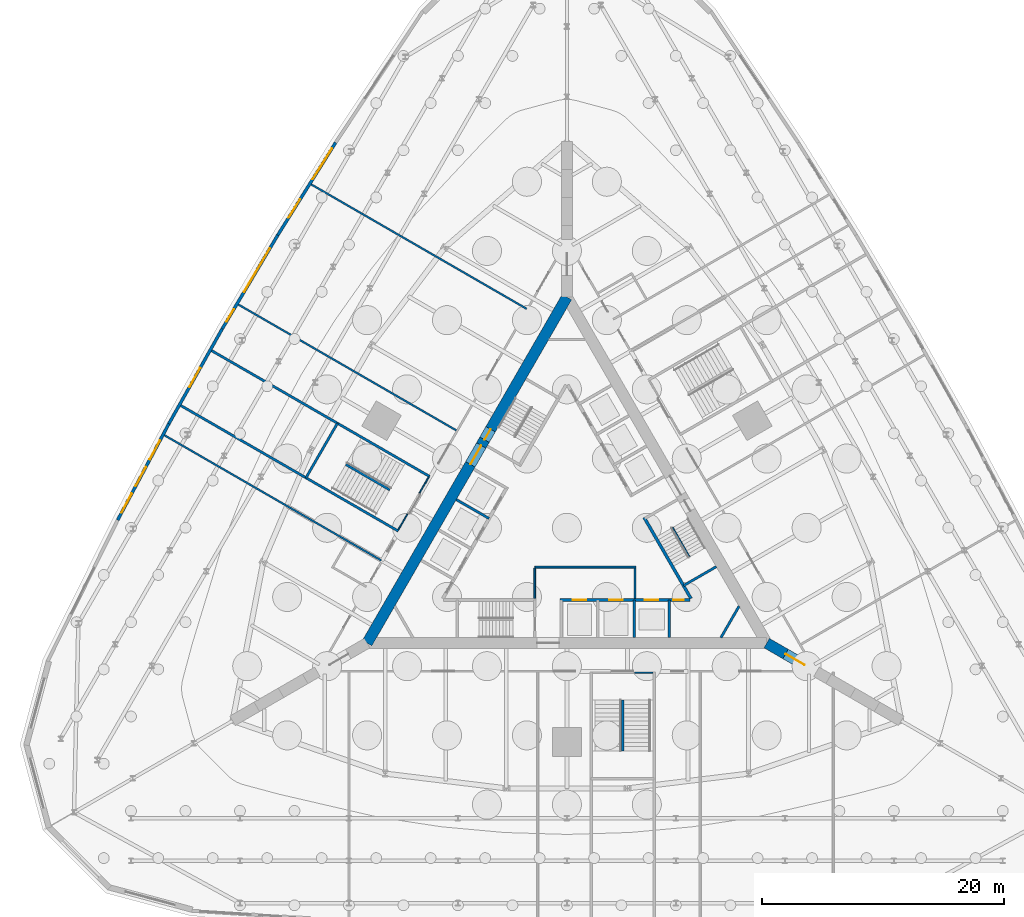
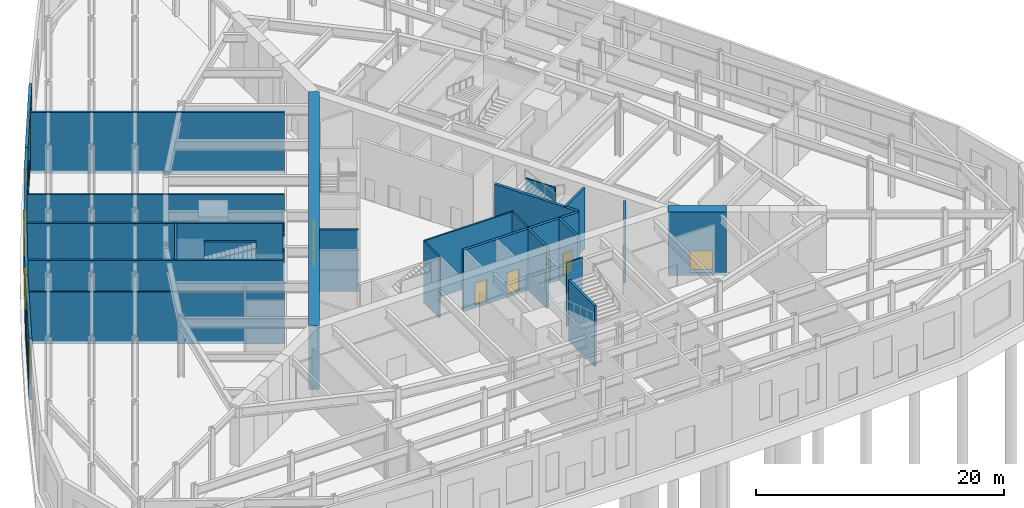
# One storey, part 11 of 17: 28 walls, 10 doors, 5 windows, 15 openings.
"""IFC4 building model written with IfcOpenShell, lengths in metres."""

from ifc_helpers import new_model, si_unit, direction, frame, frame_2d, origin, place, context, subcontext, project, spatial, rectangle, extrude, material, layer, layer_set, type_object, element, fill, save


model = new_model("IFC4")

# Units and contexts
model_context = context("Model", 3, precision=1e-05, world=origin(), true_north=direction((0.0, 1.0)))
body_context = subcontext(model_context, "Body", "Model", "MODEL_VIEW")
ifc_project = project(units=[si_unit("LENGTHUNIT", "METRE"), si_unit("AREAUNIT", "SQUARE_METRE"), si_unit("VOLUMEUNIT", "CUBIC_METRE"), si_unit("PLANEANGLEUNIT", "RADIAN"), si_unit("MASSUNIT", "GRAM", prefix="KILO")], contexts=[model_context])

# Site, building, storey
site_placement = place(None, origin())
site = spatial("IfcSite", under=ifc_project, at=site_placement, CompositionType="ELEMENT")
building_placement = place(site_placement, origin())
building = spatial("IfcBuilding", under=site, at=building_placement, Name="Trikona Tower", CompositionType="ELEMENT")
storey_placement = place(building_placement, origin())
storey = spatial("IfcBuildingStorey", under=building, at=storey_placement, Name="L00", CompositionType="ELEMENT", Elevation=0.0)

# Wall, opening, door
ifc_material_1 = material(Name="Concrete f'c 10000 psi", Category="concrete")
ifc_layer_1 = layer(ifc_material_1, 0.89990234375)
ifc_layer_set_1 = layer_set([ifc_layer_1], Name="Buttress wall 900")
wall_type_1 = type_object("IfcWallType", Name="Buttress wall 900", PredefinedType="SHEAR", material=ifc_layer_set_1)
wall_1_placement = place(storey_placement, frame((16.5, -9.5263671875, -0.300048828125), z_axis=(0.0, 0.0, 1.0), x_axis=(0.866031398331, -0.499989616998, 0.0)))
wall_1 = element("IfcWall", 1, at=wall_1_placement, inside=storey, type_object=wall_type_1, Name="Buttress wall 1", PredefinedType="SHEAR", context=body_context, shape_type="SweptSolid", body=[
    extrude(rectangle(XDim=4.74609375, YDim=0.89990234375, at=frame_2d((2.373046875, 0.0))), origin(), (0.0, 0.0, 1.0), 6.300048828125),
])
opening_1_placement = place(wall_1_placement, frame((1.800048828125, 0.0, 0.300048828125)))
opening_1 = element("IfcOpeningElement", 2, at=opening_1_placement, cuts=wall_1, Name="Opening D10", PredefinedType="OPENING", context=body_context, shape_type="SweptSolid", body=[
    extrude(rectangle(XDim=1.800048828125, YDim=2.1298828125, at=frame_2d((0.89990234375, 1.06494140625))), frame((0.0, 0.4599609375, 0.0), z_axis=(0.0, -1.0, 0.0), x_axis=(1.0, 0.0, 0.0)), (0.0, 0.0, 1.0), 0.919921875),
])
ifc_material_2 = material(Name="Hollow metal door and frame", Category="steel")
door_type_1 = type_object("IfcDoorType", Name="Cross-corridor door pair 1800x2130", OperationType="DOUBLE_DOOR_DOUBLE_SWING", PredefinedType="DOOR", material=ifc_material_2)
door_1_placement = place(opening_1_placement, origin())
door_1 = element("IfcDoor", 3, at=door_1_placement, inside=storey, type_object=door_type_1, Name="Cross-corridor door 1", OperationType="DOUBLE_DOOR_DOUBLE_SWING", OverallHeight=2.1298828125, OverallWidth=1.800048828125, PredefinedType="DOOR", context=body_context, shape_type="SweptSolid", body=[
    extrude(rectangle(XDim=1.800048828125, YDim=2.1298828125, at=frame_2d((0.89990234375, 1.06494140625))), frame((0.0, 0.02490234375, 0.0), z_axis=(0.0, -1.0, 0.0), x_axis=(1.0, 0.0, 0.0)), (0.0, 0.0, 1.0), 0.050048828125),
])
fill(opening_1, door_1)

# Wall, openings, doors
ifc_material_3 = material(Name="Concrete f'c 10000 psi", Category="concrete")
ifc_layer_2 = layer(ifc_material_3, 0.89990234375)
ifc_layer_set_2 = layer_set([ifc_layer_2], Name="Core wall 900")
wall_type_2 = type_object("IfcWallType", Name="Core wall 900", PredefinedType="SHEAR", material=ifc_layer_set_2)
wall_2_placement = place(storey_placement, frame((0.0, 19.052490234375, -0.300048828125), z_axis=(0.0, 0.0, 1.0), x_axis=(-0.499999749417, -0.866025548458, 0.0)))
wall_2 = element("IfcWall", 4, at=wall_2_placement, inside=storey, type_object=wall_type_2, Name="Core wall C", PredefinedType="SHEAR", context=body_context, shape_type="SweptSolid", body=[
    extrude(rectangle(XDim=33.0, YDim=0.89990234375, at=frame_2d((16.5, 0.0))), origin(), (0.0, 0.0, 1.0), 6.300048828125),
])
opening_2_placement = place(wall_2_placement, frame((14.14990234375, 0.0, 0.300048828125)))
opening_2 = element("IfcOpeningElement", 5, at=opening_2_placement, cuts=wall_2, Name="Opening D6", PredefinedType="OPENING", context=body_context, shape_type="SweptSolid", body=[
    extrude(rectangle(XDim=1.800048828125, YDim=2.1298828125, at=frame_2d((0.89990234375, 1.06494140625))), frame((0.0, 0.4599609375, 0.0), z_axis=(0.0, -1.0, 0.0), x_axis=(1.0, 0.0, 0.0)), (0.0, 0.0, 1.0), 0.919921875),
])
opening_3_placement = place(wall_2_placement, frame((12.60009765625, 0.0, 0.300048828125)))
opening_3 = element("IfcOpeningElement", 6, at=opening_3_placement, cuts=wall_2, Name="Opening D5", PredefinedType="OPENING", context=body_context, shape_type="SweptSolid", body=[
    extrude(rectangle(XDim=1.0, YDim=2.1298828125, at=frame_2d((0.5, 1.06494140625))), frame((0.0, 0.4599609375, 0.0), z_axis=(0.0, -1.0, 0.0), x_axis=(1.0, 0.0, 0.0)), (0.0, 0.0, 1.0), 0.919921875),
])
ifc_material_4 = material(Name="Hollow metal door and frame", Category="steel")
door_type_2 = type_object("IfcDoorType", Name="Lobby door pair 1800x2130", OperationType="DOUBLE_DOOR_SINGLE_SWING", PredefinedType="DOOR", material=ifc_material_4)
door_2_placement = place(opening_2_placement, origin())
door_2 = element("IfcDoor", 7, at=door_2_placement, inside=storey, type_object=door_type_2, Name="Lift lobby door C", OperationType="DOUBLE_DOOR_SINGLE_SWING", OverallHeight=2.1298828125, OverallWidth=1.800048828125, PredefinedType="DOOR", context=body_context, shape_type="SweptSolid", body=[
    extrude(rectangle(XDim=1.800048828125, YDim=2.1298828125, at=frame_2d((0.89990234375, 1.06494140625))), frame((0.0, 0.02490234375, 0.0), z_axis=(0.0, -1.0, 0.0), x_axis=(1.0, 0.0, 0.0)), (0.0, 0.0, 1.0), 0.050048828125),
])
fill(opening_2, door_2)
ifc_material_5 = material(Name="Hollow metal door and frame", Category="steel")
door_type_3 = type_object("IfcDoorType", Name="Stair door 1000x2130", OperationType="SINGLE_SWING_LEFT", PredefinedType="DOOR", material=ifc_material_5)
door_3_placement = place(opening_3_placement, origin())
door_3 = element("IfcDoor", 8, at=door_3_placement, inside=storey, type_object=door_type_3, Name="Stair C door", OperationType="SINGLE_SWING_RIGHT", OverallHeight=2.1298828125, OverallWidth=1.0, PredefinedType="DOOR", context=body_context, shape_type="SweptSolid", body=[
    extrude(rectangle(XDim=1.0, YDim=2.1298828125, at=frame_2d((0.5, 1.06494140625))), frame((0.0, 0.02490234375, 0.0), z_axis=(0.0, -1.0, 0.0), x_axis=(1.0, 0.0, 0.0)), (0.0, 0.0, 1.0), 0.050048828125),
])
fill(opening_3, door_3)

ifc_material_6 = material(Name="Concrete f'c 8000 psi", Category="concrete")
ifc_layer_3 = layer(ifc_material_6, 0.25)
ifc_layer_set_3 = layer_set([ifc_layer_3], Name="Hub wall 250")
wall_type_3 = type_object("IfcWallType", Name="Hub wall 250", PredefinedType="SOLIDWALL", material=ifc_layer_set_3)
wall_3_placement = place(storey_placement, frame((-0.550048828125, -5.951416015625, -0.300048828125), z_axis=(0.0, 0.0, 1.0), x_axis=(1.0, 0.0, 0.0)))
wall_3 = element("IfcWall", 9, at=wall_3_placement, inside=storey, type_object=wall_type_3, Name="Lift lobby wall A2", PredefinedType="SOLIDWALL", context=body_context, shape_type="SweptSolid", body=[
    extrude(rectangle(XDim=10.73291015625, YDim=0.25, at=frame_2d((5.366455078125, 0.0))), origin(), (0.0, 0.0, 1.0), 6.050048828125),
])
opening_4_placement = place(wall_3_placement, frame((9.31396484375, 0.0, 0.300048828125)))
opening_4 = element("IfcOpeningElement", 10, at=opening_4_placement, cuts=wall_3, Name="Opening D14", PredefinedType="OPENING", context=body_context, shape_type="SweptSolid", body=[
    extrude(rectangle(XDim=0.89990234375, YDim=2.1298828125, at=frame_2d((0.449951171875, 1.06494140625))), frame((0.0, 0.135009765625, 0.0), z_axis=(0.0, -1.0, 0.0), x_axis=(1.0, 0.0, 0.0)), (0.0, 0.0, 1.0), 0.27001953125),
])
opening_5_placement = place(wall_3_placement, frame((1.050048828125, 0.0, 0.300048828125)))
opening_5 = element("IfcOpeningElement", 11, at=opening_5_placement, cuts=wall_3, Name="Opening LD", PredefinedType="OPENING", context=body_context, shape_type="SweptSolid", body=[
    extrude(rectangle(XDim=1.10009765625, YDim=2.1298828125, at=frame_2d((0.550048828125, 1.06494140625))), frame((0.0, 0.135009765625, 0.0), z_axis=(0.0, -1.0, 0.0), x_axis=(1.0, 0.0, 0.0)), (0.0, 0.0, 1.0), 0.27001953125),
])
opening_6_placement = place(wall_3_placement, frame((4.050048828125, 0.0, 0.300048828125)))
opening_6 = element("IfcOpeningElement", 12, at=opening_6_placement, cuts=wall_3, Name="Opening LD", PredefinedType="OPENING", context=body_context, shape_type="SweptSolid", body=[
    extrude(rectangle(XDim=1.10009765625, YDim=2.1298828125, at=frame_2d((0.550048828125, 1.06494140625))), frame((0.0, 0.135009765625, 0.0), z_axis=(0.0, -1.0, 0.0), x_axis=(1.0, 0.0, 0.0)), (0.0, 0.0, 1.0), 0.27001953125),
])
opening_7_placement = place(wall_3_placement, frame((7.0, 0.0, 0.300048828125)))
opening_7 = element("IfcOpeningElement", 13, at=opening_7_placement, cuts=wall_3, Name="Opening LD", PredefinedType="OPENING", context=body_context, shape_type="SweptSolid", body=[
    extrude(rectangle(XDim=1.10009765625, YDim=2.1298828125, at=frame_2d((0.550048828125, 1.06494140625))), frame((0.0, 0.135009765625, 0.0), z_axis=(0.0, -1.0, 0.0), x_axis=(1.0, 0.0, 0.0)), (0.0, 0.0, 1.0), 0.27001953125),
])
ifc_material_7 = material(Name="Stainless steel lift landing door", Category="steel")
door_type_4 = type_object("IfcDoorType", Name="Lift landing door 1100x2130", OperationType="DOUBLE_DOOR_SLIDING", PredefinedType="USERDEFINED", material=ifc_material_7)
door_4_placement = place(opening_5_placement, origin())
door_4 = element("IfcDoor", 14, at=door_4_placement, inside=storey, type_object=door_type_4, Name="Lift landing door FF1", ObjectType="LIFT LANDING DOOR", OperationType="DOUBLE_DOOR_SLIDING", OverallHeight=2.1298828125, OverallWidth=1.10009765625, PredefinedType="USERDEFINED", context=body_context, shape_type="SweptSolid", body=[
    extrude(rectangle(XDim=1.10009765625, YDim=2.1298828125, at=frame_2d((0.550048828125, 1.06494140625))), frame((0.0, 0.02490234375, 0.0), z_axis=(0.0, -1.0, 0.0), x_axis=(1.0, 0.0, 0.0)), (0.0, 0.0, 1.0), 0.050048828125),
])
fill(opening_5, door_4)
door_5_placement = place(opening_6_placement, origin())
door_5 = element("IfcDoor", 15, at=door_5_placement, inside=storey, type_object=door_type_4, Name="Lift landing door FF2", ObjectType="LIFT LANDING DOOR", OperationType="DOUBLE_DOOR_SLIDING", OverallHeight=2.1298828125, OverallWidth=1.10009765625, PredefinedType="USERDEFINED", context=body_context, shape_type="SweptSolid", body=[
    extrude(rectangle(XDim=1.10009765625, YDim=2.1298828125, at=frame_2d((0.550048828125, 1.06494140625))), frame((0.0, 0.02490234375, 0.0), z_axis=(0.0, -1.0, 0.0), x_axis=(1.0, 0.0, 0.0)), (0.0, 0.0, 1.0), 0.050048828125),
])
fill(opening_6, door_5)
door_6_placement = place(opening_7_placement, origin())
door_6 = element("IfcDoor", 16, at=door_6_placement, inside=storey, type_object=door_type_4, Name="Lift landing door OB1", ObjectType="LIFT LANDING DOOR", OperationType="DOUBLE_DOOR_SLIDING", OverallHeight=2.1298828125, OverallWidth=1.10009765625, PredefinedType="USERDEFINED", context=body_context, shape_type="SweptSolid", body=[
    extrude(rectangle(XDim=1.10009765625, YDim=2.1298828125, at=frame_2d((0.550048828125, 1.06494140625))), frame((0.0, 0.02490234375, 0.0), z_axis=(0.0, -1.0, 0.0), x_axis=(1.0, 0.0, 0.0)), (0.0, 0.0, 1.0), 0.050048828125),
])
fill(opening_7, door_6)
ifc_material_8 = material(Name="Hollow metal door and frame", Category="steel")
door_type_5 = type_object("IfcDoorType", Name="Service room door 900x2130", OperationType="SINGLE_SWING_LEFT", PredefinedType="DOOR", material=ifc_material_8)
door_7_placement = place(opening_4_placement, origin())
door_7 = element("IfcDoor", 17, at=door_7_placement, inside=storey, type_object=door_type_5, Name="Door Electrical room ELR", OperationType="SINGLE_SWING_RIGHT", OverallHeight=2.1298828125, OverallWidth=0.89990234375, PredefinedType="DOOR", context=body_context, shape_type="SweptSolid", body=[
    extrude(rectangle(XDim=0.89990234375, YDim=2.1298828125, at=frame_2d((0.449951171875, 1.06494140625))), frame((0.0, 0.02490234375, 0.0), z_axis=(0.0, -1.0, 0.0), x_axis=(1.0, 0.0, 0.0)), (0.0, 0.0, 1.0), 0.050048828125),
])
fill(opening_4, door_7)

# Wall
wall_4_placement = place(storey_placement, frame((10.245361328125, -5.843017578125, -0.300048828125), z_axis=(0.0, 0.0, 1.0), x_axis=(-0.499993009313, 0.866029439822, 0.0)))
element("IfcWall", 18, at=wall_4_placement, inside=storey, type_object=wall_type_3, Name="Lift lobby wall B1", PredefinedType="SOLIDWALL", context=body_context, shape_type="SweptSolid", body=[
    extrude(rectangle(XDim=7.73291015625, YDim=0.25, at=frame_2d((3.866455078125, 0.0))), origin(), (0.0, 0.0, 1.0), 6.050048828125),
])

# Wall, openings, door, window
ifc_material_9 = material(Name="Insulated precast concrete spandrel panel", Category="concrete")
ifc_layer_4 = layer(ifc_material_9, 0.25)
ifc_layer_set_4 = layer_set([ifc_layer_4], Name="Inner skin wall 250")
wall_type_4 = type_object("IfcWallType", Name="Inner skin wall 250", PredefinedType="STANDARD", material=ifc_layer_set_4)
wall_5_placement = place(storey_placement, frame((-19.105712890625, 31.810302734375, -0.300048828125), z_axis=(0.0, 0.0, 1.0), x_axis=(-0.529864906428, -0.848082060261, 0.0)))
wall_5 = element("IfcWall", 19, at=wall_5_placement, inside=storey, type_object=wall_type_4, Name="External wall L00-21", PredefinedType="STANDARD", context=body_context, shape_type="SweptSolid", body=[
    extrude(rectangle(XDim=9.005615234375, YDim=0.25, at=frame_2d((4.5029296875, 0.0))), origin(), (0.0, 0.0, 1.0), 6.050048828125),
])
opening_8_placement = place(wall_5_placement, frame((0.568359375, 0.0, 1.199951171875)))
opening_8 = element("IfcOpeningElement", 20, at=opening_8_placement, cuts=wall_5, Name="Opening W3036", PredefinedType="OPENING", context=body_context, shape_type="SweptSolid", body=[
    extrude(rectangle(XDim=3.0, YDim=3.60009765625, at=frame_2d((1.5, 1.800048828125))), frame((0.0, 0.135009765625, 0.0), z_axis=(0.0, -1.0, 0.0), x_axis=(1.0, 0.0, 0.0)), (0.0, 0.0, 1.0), 0.27001953125),
])
opening_9_placement = place(wall_5_placement, frame((5.521240234375, 0.0, 0.300048828125)))
opening_9 = element("IfcOpeningElement", 21, at=opening_9_placement, cuts=wall_5, Name="Opening D7", PredefinedType="OPENING", context=body_context, shape_type="SweptSolid", body=[
    extrude(rectangle(XDim=1.800048828125, YDim=2.699951171875, at=frame_2d((0.89990234375, 1.35009765625))), frame((0.0, 0.135009765625, 0.0), z_axis=(0.0, -1.0, 0.0), x_axis=(1.0, 0.0, 0.0)), (0.0, 0.0, 1.0), 0.27001953125),
])
ifc_material_10 = material(Name="Aluminium-framed glazed door", Category="aluminium")
door_type_6 = type_object("IfcDoorType", Name="Entrance door pair 1800x2700", OperationType="DOUBLE_DOOR_SINGLE_SWING", PredefinedType="DOOR", material=ifc_material_10)
door_8_placement = place(opening_9_placement, origin())
door_8 = element("IfcDoor", 22, at=door_8_placement, inside=storey, type_object=door_type_6, Name="Exit door Back of house", OperationType="DOUBLE_DOOR_SINGLE_SWING", OverallHeight=2.699951171875, OverallWidth=1.800048828125, PredefinedType="DOOR", context=body_context, shape_type="SweptSolid", body=[
    extrude(rectangle(XDim=1.800048828125, YDim=2.699951171875, at=frame_2d((0.89990234375, 1.35009765625))), frame((0.0, 0.02490234375, 0.0), z_axis=(0.0, -1.0, 0.0), x_axis=(1.0, 0.0, 0.0)), (0.0, 0.0, 1.0), 0.050048828125),
])
fill(opening_9, door_8)
ifc_material_11 = material(Name="Aluminium-framed double glazing", Category="aluminium")
window_type_1 = type_object("IfcWindowType", Name="Window 3000x3600", PartitioningType="SINGLE_PANEL", PredefinedType="WINDOW", material=ifc_material_11)
window_1_placement = place(opening_8_placement, origin())
window_1 = element("IfcWindow", 23, at=window_1_placement, inside=storey, type_object=window_type_1, Name="Window L00-DCK", OverallHeight=3.60009765625, OverallWidth=3.0, PartitioningType="SINGLE_PANEL", PredefinedType="WINDOW", context=body_context, shape_type="SweptSolid", body=[
    extrude(rectangle(XDim=3.0, YDim=3.60009765625, at=frame_2d((1.5, 1.800048828125))), frame((0.0, 0.030029296875, 0.0), z_axis=(0.0, -1.0, 0.0), x_axis=(1.0, 0.0, 0.0)), (0.0, 0.0, 1.0), 0.06005859375),
])
fill(opening_8, window_1)

# Wall, openings, windows
wall_6_placement = place(storey_placement, frame((-23.8759765625, 24.17529296875, -0.300048828125), z_axis=(0.0, 0.0, 1.0), x_axis=(-0.510009078305, -0.860169018302, 0.0)))
wall_6 = element("IfcWall", 24, at=wall_6_placement, inside=storey, type_object=wall_type_4, Name="External wall L00-22", PredefinedType="STANDARD", context=body_context, shape_type="SweptSolid", body=[
    extrude(rectangle(XDim=9.00048828125, YDim=0.25, at=frame_2d((4.500244140625, 0.0))), origin(), (0.0, 0.0, 1.0), 6.050048828125),
])
opening_10_placement = place(wall_6_placement, frame((1.272705078125, 0.0, 1.199951171875)))
opening_10 = element("IfcOpeningElement", 25, at=opening_10_placement, cuts=wall_6, Name="Opening W4236", PredefinedType="OPENING", context=body_context, shape_type="SweptSolid", body=[
    extrude(rectangle(XDim=4.199951171875, YDim=3.60009765625, at=frame_2d((2.10009765625, 1.800048828125))), frame((0.0, 0.135009765625, 0.0), z_axis=(0.0, -1.0, 0.0), x_axis=(1.0, 0.0, 0.0)), (0.0, 0.0, 1.0), 0.27001953125),
])
opening_11_placement = place(wall_6_placement, frame((7.122802734375, 0.0, 1.199951171875)))
opening_11 = element("IfcOpeningElement", 26, at=opening_11_placement, cuts=wall_6, Name="Opening W1236", PredefinedType="OPENING", context=body_context, shape_type="SweptSolid", body=[
    extrude(rectangle(XDim=1.199951171875, YDim=3.60009765625, at=frame_2d((0.60009765625, 1.800048828125))), frame((0.0, 0.135009765625, 0.0), z_axis=(0.0, -1.0, 0.0), x_axis=(1.0, 0.0, 0.0)), (0.0, 0.0, 1.0), 0.27001953125),
])
ifc_material_12 = material(Name="Aluminium-framed double glazing", Category="aluminium")
window_type_2 = type_object("IfcWindowType", Name="Window 1200x3600", PartitioningType="SINGLE_PANEL", PredefinedType="WINDOW", material=ifc_material_12)
window_2_placement = place(opening_11_placement, origin())
window_2 = element("IfcWindow", 27, at=window_2_placement, inside=storey, type_object=window_type_2, Name="Window L00-EXC", OverallHeight=3.60009765625, OverallWidth=1.199951171875, PartitioningType="SINGLE_PANEL", PredefinedType="WINDOW", context=body_context, shape_type="SweptSolid", body=[
    extrude(rectangle(XDim=1.199951171875, YDim=3.60009765625, at=frame_2d((0.60009765625, 1.800048828125))), frame((0.0, 0.030029296875, 0.0), z_axis=(0.0, -1.0, 0.0), x_axis=(1.0, 0.0, 0.0)), (0.0, 0.0, 1.0), 0.06005859375),
])
fill(opening_11, window_2)
ifc_material_13 = material(Name="Aluminium-framed double glazing", Category="aluminium")
window_type_3 = type_object("IfcWindowType", Name="Window 4200x3600", PartitioningType="SINGLE_PANEL", PredefinedType="WINDOW", material=ifc_material_13)
window_3_placement = place(opening_10_placement, origin())
window_3 = element("IfcWindow", 28, at=window_3_placement, inside=storey, type_object=window_type_3, Name="Window L00-BOH", OverallHeight=3.60009765625, OverallWidth=4.199951171875, PartitioningType="SINGLE_PANEL", PredefinedType="WINDOW", context=body_context, shape_type="SweptSolid", body=[
    extrude(rectangle(XDim=4.199951171875, YDim=3.60009765625, at=frame_2d((2.10009765625, 1.800048828125))), frame((0.0, 0.030029296875, 0.0), z_axis=(0.0, -1.0, 0.0), x_axis=(1.0, 0.0, 0.0)), (0.0, 0.0, 1.0), 0.06005859375),
])
fill(opening_10, window_3)

# Wall, opening, door
wall_7_placement = place(storey_placement, frame((-32.87451171875, 8.58935546875, -0.300048828125), z_axis=(0.0, 0.0, 1.0), x_axis=(0.489927657557, 0.871763093025, 0.0)))
wall_7 = element("IfcWall", 29, at=wall_7_placement, inside=storey, type_object=wall_type_4, Name="External wall L00-23", PredefinedType="STANDARD", context=body_context, shape_type="SweptSolid", body=[
    extrude(rectangle(XDim=9.000732421875, YDim=0.25, at=frame_2d((4.50048828125, 0.0))), origin(), (0.0, 0.0, 1.0), 6.050048828125),
])
opening_12_placement = place(wall_7_placement, frame((3.4951171875, 0.0, 0.300048828125)))
opening_12 = element("IfcOpeningElement", 30, at=opening_12_placement, cuts=wall_7, Name="Opening D7", PredefinedType="OPENING", context=body_context, shape_type="SweptSolid", body=[
    extrude(rectangle(XDim=1.800048828125, YDim=2.699951171875, at=frame_2d((0.89990234375, 1.35009765625))), frame((0.0, 0.135009765625, 0.0), z_axis=(0.0, -1.0, 0.0), x_axis=(1.0, 0.0, 0.0)), (0.0, 0.0, 1.0), 0.27001953125),
])
door_9_placement = place(opening_12_placement, origin())
door_9 = element("IfcDoor", 31, at=door_9_placement, inside=storey, type_object=door_type_6, Name="Exit door Podium stair PS3", OperationType="DOUBLE_DOOR_SINGLE_SWING", OverallHeight=2.699951171875, OverallWidth=1.800048828125, PredefinedType="DOOR", context=body_context, shape_type="SweptSolid", body=[
    extrude(rectangle(XDim=1.800048828125, YDim=2.699951171875, at=frame_2d((0.89990234375, 1.35009765625))), frame((0.0, 0.02490234375, 0.0), z_axis=(0.0, -1.0, 0.0), x_axis=(1.0, 0.0, 0.0)), (0.0, 0.0, 1.0), 0.050048828125),
])
fill(opening_12, door_9)

# Wall, openings, door, windows
wall_8_placement = place(storey_placement, frame((-32.873046875, 8.591796875, -0.300048828125), z_axis=(0.0, 0.0, 1.0), x_axis=(-0.469531141255, -0.882915911846, 0.0)))
wall_8 = element("IfcWall", 32, at=wall_8_placement, inside=storey, type_object=wall_type_4, Name="External wall L00-24", PredefinedType="STANDARD", context=body_context, shape_type="SweptSolid", body=[
    extrude(rectangle(XDim=9.00537109375, YDim=0.25, at=frame_2d((4.502685546875, 0.0))), origin(), (0.0, 0.0, 1.0), 6.050048828125),
])
opening_13_placement = place(wall_8_placement, frame((4.035888671875, 0.0, 0.300048828125)))
opening_13 = element("IfcOpeningElement", 33, at=opening_13_placement, cuts=wall_8, Name="Opening D7", PredefinedType="OPENING", context=body_context, shape_type="SweptSolid", body=[
    extrude(rectangle(XDim=1.800048828125, YDim=2.699951171875, at=frame_2d((0.89990234375, 1.35009765625))), frame((0.0, 0.135009765625, 0.0), z_axis=(0.0, -1.0, 0.0), x_axis=(1.0, 0.0, 0.0)), (0.0, 0.0, 1.0), 0.27001953125),
])
opening_14_placement = place(wall_8_placement, frame((1.551025390625, 0.0, 1.199951171875)))
opening_14 = element("IfcOpeningElement", 34, at=opening_14_placement, cuts=wall_8, Name="Opening W1836", PredefinedType="OPENING", context=body_context, shape_type="SweptSolid", body=[
    extrude(rectangle(XDim=1.800048828125, YDim=3.60009765625, at=frame_2d((0.89990234375, 1.800048828125))), frame((0.0, 0.135009765625, 0.0), z_axis=(0.0, -1.0, 0.0), x_axis=(1.0, 0.0, 0.0)), (0.0, 0.0, 1.0), 0.27001953125),
])
opening_15_placement = place(wall_8_placement, frame((6.5205078125, 0.0, 1.199951171875)))
opening_15 = element("IfcOpeningElement", 35, at=opening_15_placement, cuts=wall_8, Name="Opening W1836", PredefinedType="OPENING", context=body_context, shape_type="SweptSolid", body=[
    extrude(rectangle(XDim=1.800048828125, YDim=3.60009765625, at=frame_2d((0.89990234375, 1.800048828125))), frame((0.0, 0.135009765625, 0.0), z_axis=(0.0, -1.0, 0.0), x_axis=(1.0, 0.0, 0.0)), (0.0, 0.0, 1.0), 0.27001953125),
])
door_10_placement = place(opening_13_placement, origin())
door_10 = element("IfcDoor", 36, at=door_10_placement, inside=storey, type_object=door_type_6, Name="Exit door Refuse store", OperationType="DOUBLE_DOOR_SINGLE_SWING", OverallHeight=2.699951171875, OverallWidth=1.800048828125, PredefinedType="DOOR", context=body_context, shape_type="SweptSolid", body=[
    extrude(rectangle(XDim=1.800048828125, YDim=2.699951171875, at=frame_2d((0.89990234375, 1.35009765625))), frame((0.0, 0.02490234375, 0.0), z_axis=(0.0, -1.0, 0.0), x_axis=(1.0, 0.0, 0.0)), (0.0, 0.0, 1.0), 0.050048828125),
])
fill(opening_13, door_10)
ifc_material_14 = material(Name="Aluminium-framed double glazing", Category="aluminium")
window_type_4 = type_object("IfcWindowType", Name="Window 1800x3600", PartitioningType="SINGLE_PANEL", PredefinedType="WINDOW", material=ifc_material_14)
window_4_placement = place(opening_14_placement, origin())
window_4 = element("IfcWindow", 37, at=window_4_placement, inside=storey, type_object=window_type_4, Name="Window L00-REF", OverallHeight=3.60009765625, OverallWidth=1.800048828125, PartitioningType="SINGLE_PANEL", PredefinedType="WINDOW", context=body_context, shape_type="SweptSolid", body=[
    extrude(rectangle(XDim=1.800048828125, YDim=3.60009765625, at=frame_2d((0.89990234375, 1.800048828125))), frame((0.0, 0.030029296875, 0.0), z_axis=(0.0, -1.0, 0.0), x_axis=(1.0, 0.0, 0.0)), (0.0, 0.0, 1.0), 0.06005859375),
])
fill(opening_14, window_4)
window_5_placement = place(opening_15_placement, origin())
window_5 = element("IfcWindow", 38, at=window_5_placement, inside=storey, type_object=window_type_4, Name="Window L00-REF", OverallHeight=3.60009765625, OverallWidth=1.800048828125, PartitioningType="SINGLE_PANEL", PredefinedType="WINDOW", context=body_context, shape_type="SweptSolid", body=[
    extrude(rectangle(XDim=1.800048828125, YDim=3.60009765625, at=frame_2d((0.89990234375, 1.800048828125))), frame((0.0, 0.030029296875, 0.0), z_axis=(0.0, -1.0, 0.0), x_axis=(1.0, 0.0, 0.0)), (0.0, 0.0, 1.0), 0.06005859375),
])
fill(opening_15, window_5)

# Walls
ifc_material_15 = material(Name="Metal stud and gypsum board, 2-hour shaft wall", Category="gypsum")
ifc_layer_5 = layer(ifc_material_15, 0.14990234375)
ifc_layer_set_5 = layer_set([ifc_layer_5], Name="Lobby wall 150")
wall_type_5 = type_object("IfcWallType", Name="Lobby wall 150", PredefinedType="PARTITIONING", material=ifc_layer_set_5)
wall_9_placement = place(storey_placement, frame((-2.64990234375, -3.251220703125, -0.300048828125), z_axis=(0.0, 0.0, 1.0), x_axis=(1.0, 0.0, 0.0)))
element("IfcWall", 39, at=wall_9_placement, inside=storey, type_object=wall_type_5, Name="Fire service lift lobby wall 1", PredefinedType="PARTITIONING", context=body_context, shape_type="SweptSolid", body=[
    extrude(rectangle(XDim=8.349853515625, YDim=0.14990234375, at=frame_2d((4.1748046875, 0.0))), origin(), (0.0, 0.0, 1.0), 6.050048828125),
])
for number, where, z_axis, x_axis, name in (
    (40, (-2.64990234375, -5.826416015625, -0.300048828125), (0.0, 0.0, 1.0), (0.0, 1.0, 0.0), "Fire service lift lobby wall 2"),
    (41, (5.625, -5.826416015625, -0.300048828125), (0.0, 0.0, 1.0), (0.0, 1.0, 0.0), "Fire service lift lobby wall 3"),
):
    element("IfcWall", number, at=place(storey_placement, frame(where, z_axis=z_axis, x_axis=x_axis)), inside=storey, type_object=wall_type_5, Name=name, PredefinedType="PARTITIONING", context=body_context, shape_type="SweptSolid", body=[
        extrude(rectangle(XDim=2.5, YDim=0.14990234375, at=frame_2d((1.25, 0.0))), origin(), (0.0, 0.0, 1.0), 6.050048828125),
    ])
ifc_material_16 = material(Name="Metal stud and gypsum board, 1-hour acoustic", Category="gypsum")
ifc_layer_6 = layer(ifc_material_16, 0.14990234375)
ifc_layer_set_6 = layer_set([ifc_layer_6], Name="Party wall 150")
wall_type_6 = type_object("IfcWallType", Name="Party wall 150", PredefinedType="PARTITIONING", material=ifc_layer_set_6)
wall_10_placement = place(storey_placement, frame((-3.32861328125, 18.08740234375, -0.300048828125), z_axis=(0.0, 0.0, 1.0), x_axis=(-0.866020300771, 0.500008838574, 0.0)))
element("IfcWall", 42, at=wall_10_placement, inside=storey, type_object=wall_type_6, Name="Partition L00 F3 u-14", PredefinedType="PARTITIONING", context=body_context, shape_type="SweptSolid", body=[
    extrude(rectangle(XDim=20.539306640625, YDim=0.14990234375, at=frame_2d((10.26953125, 0.0))), origin(), (0.0, 0.0, 1.0), 6.050048828125),
])
wall_11_placement = place(storey_placement, frame((-9.12841796875, 8.04150390625, -0.300048828125), z_axis=(0.0, 0.0, 1.0), x_axis=(-0.866022493458, 0.5000050408, 0.0)))
element("IfcWall", 43, at=wall_11_placement, inside=storey, type_object=wall_type_6, Name="Partition L00 F3 u-2.4", PredefinedType="PARTITIONING", context=body_context, shape_type="SweptSolid", body=[
    extrude(rectangle(XDim=20.790283203125, YDim=0.14990234375, at=frame_2d((10.39501953125, 0.0))), origin(), (0.0, 0.0, 1.0), 6.050048828125),
])
wall_12_placement = place(storey_placement, frame((-15.32861328125, -2.697021484375, -0.300048828125), z_axis=(0.0, 0.0, 1.0), x_axis=(-0.866026526444, 0.499998055492, 0.0)))
element("IfcWall", 44, at=wall_12_placement, inside=storey, type_object=wall_type_6, Name="Partition L00 F3 u10", PredefinedType="PARTITIONING", context=body_context, shape_type="SweptSolid", body=[
    extrude(rectangle(XDim=20.67822265625, YDim=0.14990234375, at=frame_2d((10.339111328125, 0.0))), origin(), (0.0, 0.0, 1.0), 5.107666015625),
])
ifc_material_17 = material(Name="Concrete f'c 8000 psi", Category="concrete")
ifc_layer_7 = layer(ifc_material_17, 0.199951171875)
ifc_layer_set_7 = layer_set([ifc_layer_7], Name="Shaft wall 200")
wall_type_7 = type_object("IfcWallType", Name="Shaft wall 200", PredefinedType="SOLIDWALL", material=ifc_layer_set_7)
for number, where, z_axis, x_axis, name in (
    (45, (5.550048828125, -5.951416015625, -0.300048828125), (0.0, 0.0, 1.0), (0.0, -1.0, 0.0), "Shaft wall A5"),
    (46, (8.449951171875, -5.951416015625, -0.300048828125), (0.0, 0.0, 1.0), (0.0, -1.0, 0.0), "Shaft wall A6"),
    (47, (-6.428955078125, 0.767333984375, -0.300048828125), (0.0, 0.0, 1.0), (-0.866022959057, 0.500004234368, 0.0), "Shaft wall C4"),
):
    element("IfcWall", number, at=place(storey_placement, frame(where, z_axis=z_axis, x_axis=x_axis)), inside=storey, type_object=wall_type_7, Name=name, PredefinedType="SOLIDWALL", context=body_context, shape_type="SweptSolid", body=[
        extrude(rectangle(XDim=3.125, YDim=0.199951171875, at=frame_2d((1.5625, 0.0))), origin(), (0.0, 0.0, 1.0), 6.050048828125),
    ])
wall_13_placement = place(storey_placement, frame((14.219482421875, -6.476318359375, -0.300048828125), z_axis=(0.0, 0.0, 1.0), x_axis=(-0.499952404951, -0.866052881055, 0.0)))
element("IfcWall", 48, at=wall_13_placement, inside=storey, type_object=wall_type_7, Name="Riser wall L00-RS1", PredefinedType="SOLIDWALL", context=body_context, shape_type="SweptSolid", body=[
    extrude(rectangle(XDim=3.002197265625, YDim=0.199951171875, at=frame_2d((1.5009765625, 0.0))), origin(), (0.0, 0.0, 1.0), 6.050048828125),
])
ifc_material_18 = material(Name="Concrete f'c 8000 psi", Category="concrete")
ifc_layer_8 = layer(ifc_material_18, 0.199951171875)
ifc_layer_set_8 = layer_set([ifc_layer_8], Name="Shaft wall 200 load-bearing")
wall_type_8 = type_object("IfcWallType", Name="Shaft wall 200 load-bearing", PredefinedType="SOLIDWALL", material=ifc_layer_set_8)
wall_14_placement = place(storey_placement, frame((9.62890625, -4.775390625, -0.300048828125), z_axis=(0.0, 0.0, 1.0), x_axis=(0.866022959057, 0.500004234368, 0.0)))
element("IfcWall", 49, at=wall_14_placement, inside=storey, type_object=wall_type_8, Name="Shaft wall B1", PredefinedType="SOLIDWALL", context=body_context, shape_type="SweptSolid", body=[
    extrude(rectangle(XDim=3.125, YDim=0.199951171875, at=frame_2d((1.5625, 0.0))), origin(), (0.0, 0.0, 1.0), 6.050048828125),
])
ifc_material_19 = material(Name="Concrete f'c 6000 psi", Category="concrete")
ifc_layer_9 = layer(ifc_material_19, 0.10009765625)
ifc_layer_set_9 = layer_set([ifc_layer_9], Name="Stair enclosure wall 100")
wall_type_9 = type_object("IfcWallType", Name="Stair enclosure wall 100", PredefinedType="SOLIDWALL", material=ifc_layer_set_9)
for number, where, z_axis, x_axis, name in (
    (50, (5.60009765625, -11.976318359375, -0.300048828125), (0.0, 0.0, 1.0), (1.0, 0.0, 0.0), "Podium stair PS1 end pier 2 L00"),
    (51, (-11.421875, 4.16943359375, -0.300048828125), (0.0, 0.0, 1.0), (-0.499990139034, -0.866031096941, 0.0), "Podium stair PS3 end pier 1 L00"),
    (52, (-13.171875, 1.138427734375, -0.300048828125), (0.0, 0.0, 1.0), (-0.499990139034, -0.866031096941, 0.0), "Podium stair PS3 end pier 2 L00"),
):
    element("IfcWall", number, at=place(storey_placement, frame(where, z_axis=z_axis, x_axis=x_axis)), inside=storey, type_object=wall_type_9, Name=name, PredefinedType="SOLIDWALL", context=body_context, shape_type="SweptSolid", body=[
        extrude(rectangle(XDim=1.5, YDim=0.10009765625, at=frame_2d((0.75, 0.0))), origin(), (0.0, 0.0, 1.0), 6.300048828125),
    ])
ifc_material_20 = material(Name="Concrete f'c 6000 psi", Category="concrete")
ifc_layer_10 = layer(ifc_material_20, 0.199951171875)
ifc_layer_set_10 = layer_set([ifc_layer_10], Name="Stair enclosure wall 200")
wall_type_10 = type_object("IfcWallType", Name="Stair enclosure wall 200", PredefinedType="SHEAR", material=ifc_layer_set_10)
wall_15_placement = place(storey_placement, frame((-11.32861328125, 4.231201171875, -0.300048828125), z_axis=(0.0, 0.0, 1.0), x_axis=(-0.866025850686, 0.499999225942, 0.0)))
element("IfcWall", 53, at=wall_15_placement, inside=storey, type_object=wall_type_10, Name="Stair enclosure L00 F3 u2", PredefinedType="SHEAR", context=body_context, shape_type="SweptSolid", body=[
    extrude(rectangle(XDim=20.79443359375, YDim=0.199951171875, at=frame_2d((10.397216796875, 0.0))), origin(), (0.0, 0.0, 1.0), 6.300048828125),
])
wall_16_placement = place(storey_placement, frame((-13.928466796875, -0.272216796875, -0.300048828125), z_axis=(0.0, 0.0, 1.0), x_axis=(-0.866025976348, 0.499999008289, 0.0)))
element("IfcWall", 54, at=wall_16_placement, inside=storey, type_object=wall_type_10, Name="Stair enclosure L00 F3 u7.2", PredefinedType="SHEAR", context=body_context, shape_type="SweptSolid", body=[
    extrude(rectangle(XDim=20.734375, YDim=0.199951171875, at=frame_2d((10.3671875, 0.0))), origin(), (0.0, 0.0, 1.0), 6.300048828125),
])
wall_17_placement = place(storey_placement, frame((-18.949462890625, 8.631103515625, -0.300048828125), z_axis=(0.0, 0.0, 1.0), x_axis=(-0.500006934395, -0.866021400173, 0.0)))
element("IfcWall", 55, at=wall_17_placement, inside=storey, type_object=wall_type_10, Name="Podium stair PS3 end wall", PredefinedType="SHEAR", context=body_context, shape_type="SweptSolid", body=[
    extrude(rectangle(XDim=5.2001953125, YDim=0.199951171875, at=frame_2d((2.60009765625, 0.0))), origin(), (0.0, 0.0, 1.0), 6.300048828125),
])
ifc_material_21 = material(Name="Concrete f'c 5000 psi", Category="concrete")
ifc_layer_11 = layer(ifc_material_21, 0.10009765625)
ifc_layer_set_11 = layer_set([ifc_layer_11], Name="Stair spine wall 100")
wall_type_11 = type_object("IfcWallType", Name="Stair spine wall 100", PredefinedType="SOLIDWALL", material=ifc_layer_set_11)
wall_18_placement = place(storey_placement, frame((10.134765625, -2.4013671875, 0.0), z_axis=(0.0, 0.0, 1.0), x_axis=(-0.499992232847, 0.866029888106, 0.0)))
element("IfcWall", 56, at=wall_18_placement, inside=storey, type_object=wall_type_11, Name="Stair B spine wall L00", PredefinedType="SOLIDWALL", context=body_context, shape_type="SweptSolid", body=[
    extrude(rectangle(XDim=2.7939453125, YDim=0.10009765625, at=frame_2d((1.39697265625, 0.0))), origin(), (0.0, 0.0, 1.0), 6.0),
])
ifc_material_22 = material(Name="Concrete f'c 5000 psi", Category="concrete")
ifc_layer_12 = layer(ifc_material_22, 0.2001953125)
ifc_layer_set_12 = layer_set([ifc_layer_12], Name="Stair spine wall 200")
wall_type_12 = type_object("IfcWallType", Name="Stair spine wall 200", PredefinedType="SOLIDWALL", material=ifc_layer_set_12)
wall_19_placement = place(storey_placement, frame((4.60009765625, -14.229248046875, 0.0), z_axis=(0.0, 0.0, 1.0), x_axis=(0.0, -1.0, 0.0)))
element("IfcWall", 57, at=wall_19_placement, inside=storey, type_object=wall_type_12, Name="Podium stair PS1 spine wall L00", PredefinedType="SOLIDWALL", context=body_context, shape_type="SweptSolid", body=[
    extrude(rectangle(XDim=4.194091796875, YDim=0.199951171875, at=frame_2d((2.09716796875, 0.0))), origin(), (0.0, 0.0, 1.0), 6.0),
])
wall_20_placement = place(storey_placement, frame((-14.622802734375, 3.130859375, 0.0), z_axis=(0.0, 0.0, 1.0), x_axis=(-0.866031452229, 0.49998952364, 0.0)))
element("IfcWall", 58, at=wall_20_placement, inside=storey, type_object=wall_type_12, Name="Podium stair PS3 spine wall L00", PredefinedType="SOLIDWALL", context=body_context, shape_type="SweptSolid", body=[
    extrude(rectangle(XDim=4.19384765625, YDim=0.199951171875, at=frame_2d((2.096923828125, 0.0))), origin(), (0.0, 0.0, 1.0), 6.0),
])

save(model, "model.ifc")
